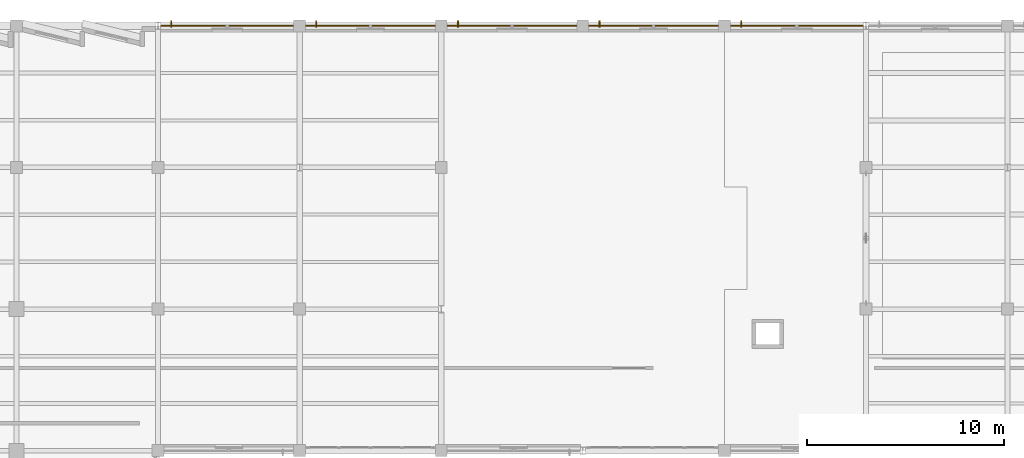
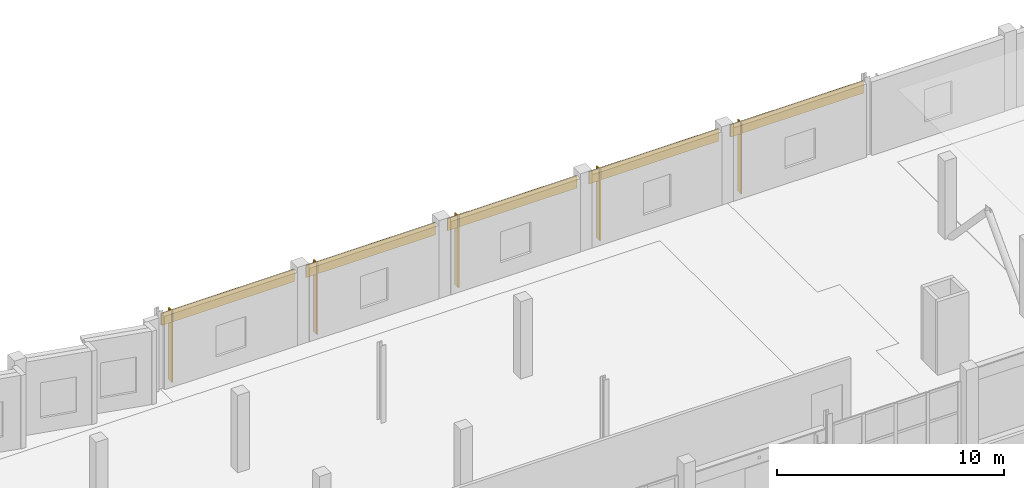
# One storey, part 89 of 94: 5 coverings, 5 shading devices.
"""IFC4 building model written with IfcOpenShell, lengths in metres."""

from ifc_helpers import new_model, si_unit, direction, frame, origin, origin_2d, place, context, subcontext, project, spatial, rectangle, extrude, material, layer, layer_set, type_object, element, save


model = new_model("IFC4")

# Units and contexts
model_context = context("Model", 3, precision=1e-05, world=origin(), true_north=direction((0.0, 1.0)))
body_context = subcontext(model_context, "Body", "Model", "MODEL_VIEW")
ifc_project = project(units=[si_unit("LENGTHUNIT", "METRE"), si_unit("AREAUNIT", "SQUARE_METRE"), si_unit("VOLUMEUNIT", "CUBIC_METRE"), si_unit("PLANEANGLEUNIT", "RADIAN"), si_unit("MASSUNIT", "GRAM", prefix="KILO")], contexts=[model_context])

# Site, building, storey
site_placement = place(None, origin())
site = spatial("IfcSite", under=ifc_project, at=site_placement, CompositionType="ELEMENT")
building_placement = place(site_placement, origin())
building = spatial("IfcBuilding", under=site, at=building_placement, Name="Kalmorath City Hall", CompositionType="ELEMENT")
storey_placement = place(building_placement, frame((0.0, 0.0, 14.699951171875)))
storey = spatial("IfcBuildingStorey", under=building, at=storey_placement, Name="L03", CompositionType="ELEMENT", Elevation=14.699951171875)

# Shading devices
ifc_material_1 = material(Name="Bronze anodised aluminium", Category="aluminium")
ifc_layer_1 = layer(ifc_material_1, 0.06005859375)
ifc_layer_set_1 = layer_set([ifc_layer_1], Name="Bronze anodised aluminium")
shading_device_type = type_object("IfcShadingDeviceType", Name="Bronze vertical solar fin 320", PredefinedType="USERDEFINED", material=ifc_layer_set_1)
for number, where, z_axis, x_axis, name in (
    (1, (29.47802734375, 115.300048828125, 0.050048828125), (0.0, 0.0, 1.0), (1.0, 0.0, 0.0), "L03 bronze solar fin #322"),
    (2, (36.85107421875, 115.300048828125, 0.050048828125), (0.0, 0.0, 1.0), (1.0, 0.0, 0.0), "L03 bronze solar fin #323"),
    (3, (44.051025390625, 115.300048828125, 0.050048828125), (0.0, 0.0, 1.0), (1.0, 0.0, 0.0), "L03 bronze solar fin #324"),
    (4, (51.2509765625, 115.300048828125, 0.050048828125), (0.0, 0.0, 1.0), (1.0, 0.0, 0.0), "L03 bronze solar fin #325"),
    (5, (58.450927734375, 115.300048828125, 0.050048828125), (0.0, 0.0, 1.0), (1.0, 0.0, 0.0), "L03 bronze solar fin #326"),
):
    element("IfcShadingDevice", number, at=place(storey_placement, frame(where, z_axis=z_axis, x_axis=x_axis)), inside=storey, type_object=shading_device_type, Name=name, ObjectType="FIN", PredefinedType="USERDEFINED", context=body_context, shape_type="SweptSolid", body=[
        extrude(rectangle(XDim=0.06005859375, YDim=0.320068359375, at=origin_2d()), origin(), (0.0, 0.0, 1.0), 3.85009765625),
    ])

# Coverings
ifc_material_2 = material(Name="Volcanic basalt stone cladding", Category="masonry")
ifc_layer_2 = layer(ifc_material_2, 0.06005859375)
ifc_layer_set_2 = layer_set([ifc_layer_2], Name="Volcanic basalt stone cladding")
covering_type = type_object("IfcCoveringType", Name="Volcanic basalt stone rainscreen cladding", PredefinedType="CLADDING", material=ifc_layer_set_2)
covering_1_placement = place(storey_placement, frame((32.3134765625, 115.205078125, 3.275146484375), z_axis=(0.0, 0.0, 1.0), x_axis=(1.0, 0.0, 0.0)))
element("IfcCovering", 6, at=covering_1_placement, inside=storey, type_object=covering_type, Name="L03 basalt spandrel cladding #60", PredefinedType="CLADDING", context=body_context, shape_type="SweptSolid", body=[
    extrude(rectangle(XDim=6.77099609375, YDim=0.06005859375, at=origin_2d()), origin(), (0.0, 0.0, 1.0), 0.64990234375),
])
for number, where, z_axis, x_axis, name in (
    (7, (39.60009765625, 115.205078125, 3.275146484375), (0.0, 0.0, 1.0), (1.0, 0.0, 0.0), "L03 basalt spandrel cladding #61"),
    (8, (46.800048828125, 115.205078125, 3.275146484375), (0.0, 0.0, 1.0), (1.0, 0.0, 0.0), "L03 basalt spandrel cladding #62"),
    (9, (54.0, 115.205078125, 3.275146484375), (0.0, 0.0, 1.0), (1.0, 0.0, 0.0), "L03 basalt spandrel cladding #63"),
):
    element("IfcCovering", number, at=place(storey_placement, frame(where, z_axis=z_axis, x_axis=x_axis)), inside=storey, type_object=covering_type, Name=name, PredefinedType="CLADDING", context=body_context, shape_type="SweptSolid", body=[
        extrude(rectangle(XDim=6.597900390625, YDim=0.06005859375, at=origin_2d()), origin(), (0.0, 0.0, 1.0), 0.64990234375),
    ])
covering_2_placement = place(storey_placement, frame((61.28662109375, 115.205078125, 3.275146484375), z_axis=(0.0, 0.0, 1.0), x_axis=(1.0, 0.0, 0.0)))
element("IfcCovering", 10, at=covering_2_placement, inside=storey, type_object=covering_type, Name="L03 basalt spandrel cladding #64", PredefinedType="CLADDING", context=body_context, shape_type="SweptSolid", body=[
    extrude(rectangle(XDim=6.77099609375, YDim=0.06005859375, at=origin_2d()), origin(), (0.0, 0.0, 1.0), 0.64990234375),
])

save(model, "model.ifc")
